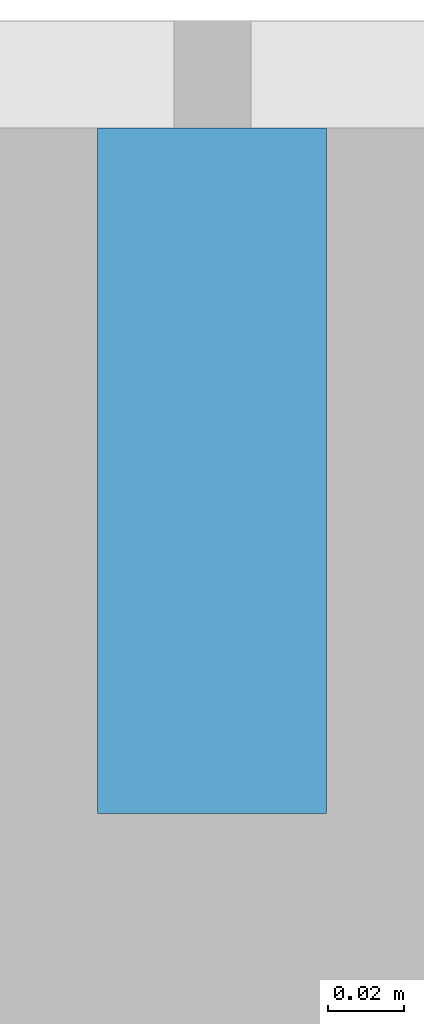
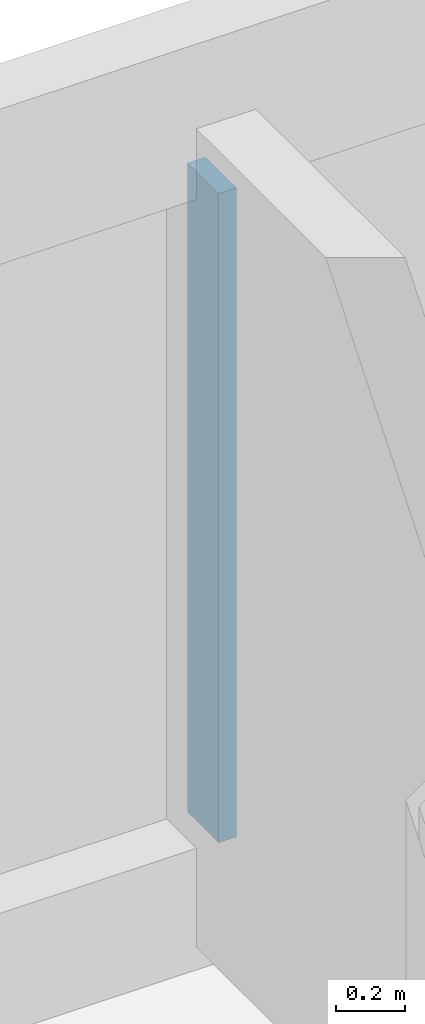
# One storey, part 8 of 26: 1 member, 1 element without a shape of its own.
"""IFC4 building model written with IfcOpenShell, lengths in metres."""

from ifc_helpers import new_model, si_unit, direction, frame, origin, origin_2d, place, context, subcontext, project, spatial, rectangle, extrude, material, layer, layer_set, material_profile, profile_set, type_object, element, aggregate, save


model = new_model("IFC4")

# Units and contexts
model_context = context("Model", 3, precision=1e-05, world=origin(), true_north=direction((0.0, 1.0)))
body_context = subcontext(model_context, "Body", "Model", "MODEL_VIEW")
ifc_project = project(units=[si_unit("LENGTHUNIT", "METRE"), si_unit("AREAUNIT", "SQUARE_METRE"), si_unit("VOLUMEUNIT", "CUBIC_METRE"), si_unit("PLANEANGLEUNIT", "RADIAN"), si_unit("MASSUNIT", "GRAM", prefix="KILO")], contexts=[model_context])

# Site, building, storey
site_placement = place(None, origin())
site = spatial("IfcSite", under=ifc_project, at=site_placement, CompositionType="ELEMENT")
building_placement = place(site_placement, origin())
building = spatial("IfcBuilding", under=site, at=building_placement, Name="Hakoniwa Tower and Hamabe Station Hall", CompositionType="ELEMENT")
storey_placement = place(building_placement, frame((0.0, 0.0, 172.60009765625)))
storey = spatial("IfcBuildingStorey", under=building, at=storey_placement, Name="L49", CompositionType="ELEMENT", Elevation=172.60009765625)

# Curtain wall, member
ifc_material_1 = material(Name="Dark low-e laminated glass", Category="glass")
ifc_layer = layer(ifc_material_1, 0.199951171875)
ifc_layer_set = layer_set([ifc_layer], Name="CW-1 UNITISED GUEST")
curtain_wall_type = type_object("IfcCurtainWallType", Name="CW-1 UNITISED GUEST", PredefinedType="NOTDEFINED", material=ifc_layer_set)
curtain_wall_placement = place(storey_placement, origin())
curtain_wall = element("IfcCurtainWall", 1, at=curtain_wall_placement, inside=storey, type_object=curtain_wall_type, Name="CW-1 curtain wall", PredefinedType="NOTDEFINED")
ifc_material_2 = material(Name="Aluminium 6063-T5 black anodised", Category="aluminium")
ifc_material_profile = material_profile(ifc_material_2, rectangle(XDim=0.06005859375, YDim=0.179931640625, at=origin_2d()), Name="CW-1 MULLION 60X180")
ifc_profile_set = profile_set([ifc_material_profile], Name="Aluminium 6063-T5 black anodised")
member_type = type_object("IfcMemberType", Name="CW-1 MULLION 60X180", PredefinedType="MULLION", material=ifc_profile_set)
member_placement = place(storey_placement, frame((8.39990234375, 18.181884765625, 0.349853515625), z_axis=(0.0, 0.0, 1.0), x_axis=(-1.0, 0.0, 0.0)))
member = element("IfcMember", 2, at=member_placement, type_object=member_type, Name="CW-1 mullion", PredefinedType="MULLION", context=body_context, shape_type="SweptSolid", body=[
    extrude(rectangle(XDim=0.06005859375, YDim=0.179931640625, at=origin_2d()), origin(), (0.0, 0.0, 1.0), 2.300048828125),
])
aggregate(curtain_wall, [member])

save(model, "model.ifc")
